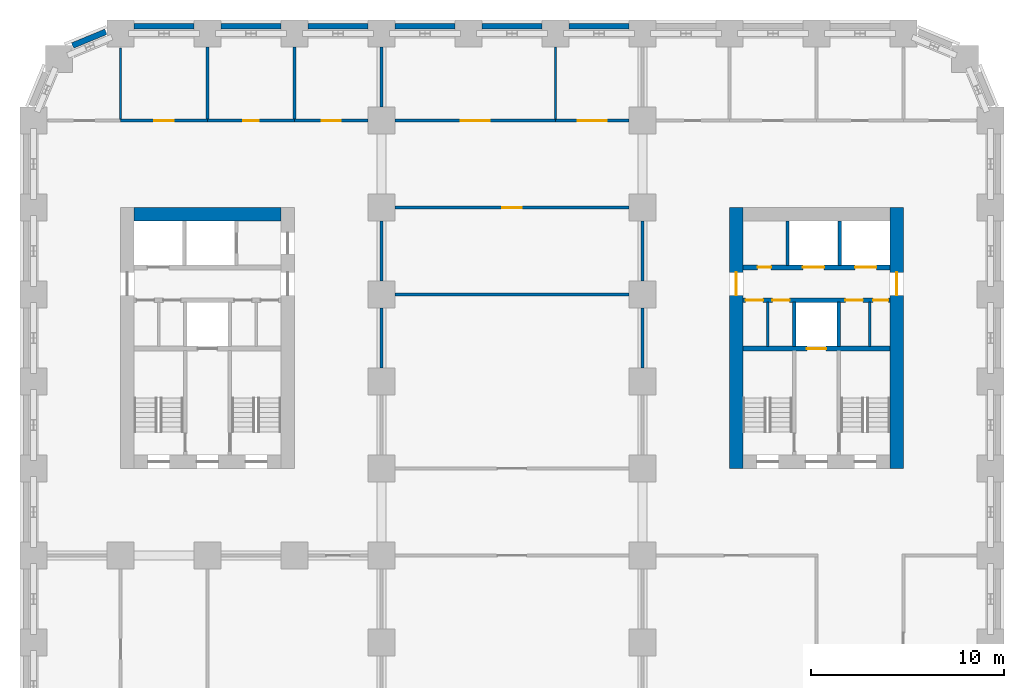
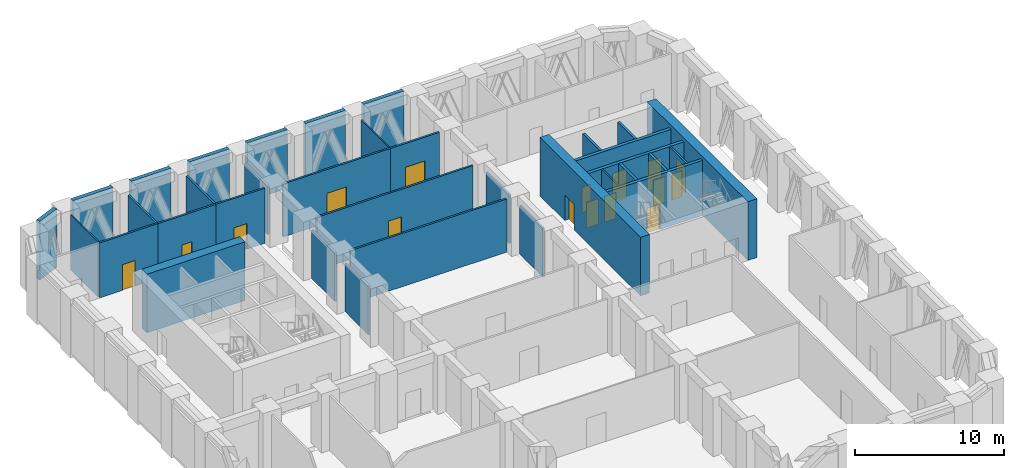
# One storey, part 5 of 9: 35 walls, 16 doors, 16 openings.
"""IFC4 building model written with IfcOpenShell, lengths in metres."""

from ifc_helpers import new_model, si_unit, direction, frame, frame_2d, origin, place, context, subcontext, project, spatial, rectangle, extrude, material, layer, layer_set, type_object, element, fill, save


model = new_model("IFC4")

# Units and contexts
model_context = context("Model", 3, precision=1e-05, world=origin(), true_north=direction((0.0, 1.0)))
body_context = subcontext(model_context, "Body", "Model", "MODEL_VIEW")
ifc_project = project(units=[si_unit("LENGTHUNIT", "METRE"), si_unit("AREAUNIT", "SQUARE_METRE"), si_unit("VOLUMEUNIT", "CUBIC_METRE"), si_unit("PLANEANGLEUNIT", "RADIAN"), si_unit("MASSUNIT", "GRAM", prefix="KILO")], contexts=[model_context])

# Site, building, storey
site_placement = place(None, origin())
site = spatial("IfcSite", under=ifc_project, at=site_placement, CompositionType="ELEMENT")
building_placement = place(site_placement, origin())
building = spatial("IfcBuilding", under=site, at=building_placement, Name="Girih Gate Residences", CompositionType="ELEMENT")
storey_placement = place(building_placement, frame((0.0, 0.0, 75.199951171875)))
storey = spatial("IfcBuildingStorey", under=building, at=storey_placement, Name="L20", CompositionType="ELEMENT", Elevation=75.199951171875)

# Walls
ifc_material_1 = material(Name="Gypsum board on steel studs", Category="steel")
ifc_layer_1 = layer(ifc_material_1, 0.14990234375)
ifc_layer_set_1 = layer_set([ifc_layer_1], Name="Compartment wall 150 mm")
wall_type_1 = type_object("IfcWallType", Name="Compartment wall 150 mm", PredefinedType="PARTITIONING", material=ifc_layer_set_1)
wall_1_placement = place(storey_placement, frame((18.699951171875, 36.0, 0.0), z_axis=(0.0, 0.0, 1.0), x_axis=(1.0, 0.0, 0.0)))
element("IfcWall", 1, at=wall_1_placement, inside=storey, type_object=wall_type_1, Name="L20 partition", PredefinedType="PARTITIONING", context=body_context, shape_type="SweptSolid", body=[
    extrude(rectangle(XDim=12.10009765625, YDim=0.14990234375, at=frame_2d((6.050048828125, 0.0))), origin(), (0.0, 0.0, 1.0), 4.35009765625),
])
for number, where, z_axis, x_axis, name in (
    (2, (31.5, 32.199951171875, 0.0), (0.0, 0.0, 1.0), (0.0, 1.0, 0.0), "L20 partition"),
    (3, (18.0, 32.199951171875, 0.0), (0.0, 0.0, 1.0), (0.0, 1.0, 0.0), "L20 partition"),
):
    element("IfcWall", number, at=place(storey_placement, frame(where, z_axis=z_axis, x_axis=x_axis)), inside=storey, type_object=wall_type_1, Name=name, PredefinedType="PARTITIONING", context=body_context, shape_type="SweptSolid", body=[
        extrude(rectangle(XDim=3.10009765625, YDim=0.14990234375, at=frame_2d((1.550048828125, 0.0))), origin(), (0.0, 0.0, 1.0), 3.97998046875),
    ])

# Wall, opening, door
wall_2_placement = place(storey_placement, frame((30.800048828125, 40.5, 0.0), z_axis=(0.0, 0.0, 1.0), x_axis=(-1.0, 0.0, 0.0)))
wall_2 = element("IfcWall", 4, at=wall_2_placement, inside=storey, type_object=wall_type_1, Name="L20 partition", PredefinedType="PARTITIONING", context=body_context, shape_type="SweptSolid", body=[
    extrude(rectangle(XDim=12.10009765625, YDim=0.14990234375, at=frame_2d((6.050048828125, 0.0))), origin(), (0.0, 0.0, 1.0), 4.35009765625),
])
opening_1_placement = place(wall_2_placement, frame((5.550048828125, 0.0, 0.0)))
opening_1 = element("IfcOpeningElement", 5, at=opening_1_placement, cuts=wall_2, Name="Opening D-L20-S-003", PredefinedType="OPENING", context=body_context, shape_type="SweptSolid", body=[
    extrude(rectangle(XDim=1.0, YDim=2.10009765625, at=frame_2d((0.5, 1.050048828125))), frame((0.0, 0.0849609375, 0.0), z_axis=(0.0, -1.0, 0.0), x_axis=(1.0, 0.0, 0.0)), (0.0, 0.0, 1.0), 0.169921875),
])
ifc_material_2 = material(Name="Timber, fire-rated core", Category="wood")
door_type_1 = type_object("IfcDoorType", Name="Amenity door 1000x2100 FD30S", OperationType="SINGLE_SWING_LEFT", PredefinedType="DOOR", material=ifc_material_2)
door_1_placement = place(opening_1_placement, origin())
door_1 = element("IfcDoor", 6, at=door_1_placement, inside=storey, type_object=door_type_1, Name="Door L20-003", OperationType="SINGLE_SWING_RIGHT", OverallHeight=2.10009765625, OverallWidth=1.0, PredefinedType="DOOR", context=body_context, shape_type="SweptSolid", body=[
    extrude(rectangle(XDim=1.0, YDim=2.10009765625, at=frame_2d((0.5, 1.050048828125))), frame((0.0, 0.02490234375, 0.0), z_axis=(0.0, -1.0, 0.0), x_axis=(1.0, 0.0, 0.0)), (0.0, 0.0, 1.0), 0.050048828125),
])
fill(opening_1, door_1)

# Walls
for number, where, z_axis, x_axis, name in (
    (7, (31.5, 36.699951171875, 0.0), (0.0, 0.0, 1.0), (0.0, 1.0, 0.0), "L20 partition"),
    (8, (18.0, 36.699951171875, 0.0), (0.0, 0.0, 1.0), (0.0, 1.0, 0.0), "L20 partition"),
):
    element("IfcWall", number, at=place(storey_placement, frame(where, z_axis=z_axis, x_axis=x_axis)), inside=storey, type_object=wall_type_1, Name=name, PredefinedType="PARTITIONING", context=body_context, shape_type="SweptSolid", body=[
        extrude(rectangle(XDim=3.10009765625, YDim=0.14990234375, at=frame_2d((1.550048828125, 0.0))), origin(), (0.0, 0.0, 1.0), 3.97998046875),
    ])

# Wall, opening, door
wall_3_placement = place(storey_placement, frame((18.699951171875, 45.0, 0.0), z_axis=(0.0, 0.0, 1.0), x_axis=(1.0, 0.0, 0.0)))
wall_3 = element("IfcWall", 9, at=wall_3_placement, inside=storey, type_object=wall_type_1, Name="L20 partition", PredefinedType="PARTITIONING", context=body_context, shape_type="SweptSolid", body=[
    extrude(rectangle(XDim=8.300048828125, YDim=0.14990234375, at=frame_2d((4.14990234375, 0.0))), origin(), (0.0, 0.0, 1.0), 4.35009765625),
])
opening_2_placement = place(wall_3_placement, frame((3.39990234375, 0.0, 0.0)))
opening_2 = element("IfcOpeningElement", 10, at=opening_2_placement, cuts=wall_3, Name="Opening D-L20-S-004", PredefinedType="OPENING", context=body_context, shape_type="SweptSolid", body=[
    extrude(rectangle(XDim=1.5, YDim=2.39990234375, at=frame_2d((0.75, 1.199951171875))), frame((0.0, 0.0849609375, 0.0), z_axis=(0.0, -1.0, 0.0), x_axis=(1.0, 0.0, 0.0)), (0.0, 0.0, 1.0), 0.169921875),
])
ifc_material_3 = material(Name="Painted steel, fire-resisting", Category="steel")
door_type_2 = type_object("IfcDoorType", Name="Plant room door pair 1500x2400 FD60", OperationType="DOUBLE_DOOR_SINGLE_SWING", PredefinedType="DOOR", material=ifc_material_3)
door_2_placement = place(opening_2_placement, origin())
door_2 = element("IfcDoor", 11, at=door_2_placement, inside=storey, type_object=door_type_2, Name="Door L20-004", OperationType="DOUBLE_DOOR_SINGLE_SWING", OverallHeight=2.39990234375, OverallWidth=1.5, PredefinedType="DOOR", context=body_context, shape_type="SweptSolid", body=[
    extrude(rectangle(XDim=1.5, YDim=2.39990234375, at=frame_2d((0.75, 1.199951171875))), frame((0.0, 0.02490234375, 0.0), z_axis=(0.0, -1.0, 0.0), x_axis=(1.0, 0.0, 0.0)), (0.0, 0.0, 1.0), 0.050048828125),
])
fill(opening_2, door_2)

# Wall
wall_4_placement = place(storey_placement, frame((18.0, 45.699951171875, 0.0), z_axis=(0.0, 0.0, 1.0), x_axis=(0.0, 1.0, 0.0)))
element("IfcWall", 12, at=wall_4_placement, inside=storey, type_object=wall_type_1, Name="L20 partition", PredefinedType="PARTITIONING", context=body_context, shape_type="SweptSolid", body=[
    extrude(rectangle(XDim=3.10009765625, YDim=0.14990234375, at=frame_2d((1.550048828125, 0.0))), origin(), (0.0, 0.0, 1.0), 3.97998046875),
])

# Wall, opening, door
wall_5_placement = place(storey_placement, frame((27.0, 45.0, 0.0), z_axis=(0.0, 0.0, 1.0), x_axis=(1.0, 0.0, 0.0)))
wall_5 = element("IfcWall", 13, at=wall_5_placement, inside=storey, type_object=wall_type_1, Name="L20 partition", PredefinedType="PARTITIONING", context=body_context, shape_type="SweptSolid", body=[
    extrude(rectangle(XDim=3.800048828125, YDim=0.14990234375, at=frame_2d((1.89990234375, 0.0))), origin(), (0.0, 0.0, 1.0), 4.35009765625),
])
opening_3_placement = place(wall_5_placement, frame((1.14990234375, 0.0, 0.0)))
opening_3 = element("IfcOpeningElement", 14, at=opening_3_placement, cuts=wall_5, Name="Opening D-L20-S-005", PredefinedType="OPENING", context=body_context, shape_type="SweptSolid", body=[
    extrude(rectangle(XDim=1.5, YDim=2.39990234375, at=frame_2d((0.75, 1.199951171875))), frame((0.0, 0.0849609375, 0.0), z_axis=(0.0, -1.0, 0.0), x_axis=(1.0, 0.0, 0.0)), (0.0, 0.0, 1.0), 0.169921875),
])
door_3_placement = place(opening_3_placement, origin())
door_3 = element("IfcDoor", 15, at=door_3_placement, inside=storey, type_object=door_type_2, Name="Door L20-005", OperationType="DOUBLE_DOOR_SINGLE_SWING", OverallHeight=2.39990234375, OverallWidth=1.5, PredefinedType="DOOR", context=body_context, shape_type="SweptSolid", body=[
    extrude(rectangle(XDim=1.5, YDim=2.39990234375, at=frame_2d((0.75, 1.199951171875))), frame((0.0, 0.02490234375, 0.0), z_axis=(0.0, -1.0, 0.0), x_axis=(1.0, 0.0, 0.0)), (0.0, 0.0, 1.0), 0.050048828125),
])
fill(opening_3, door_3)

# Wall
wall_6_placement = place(storey_placement, frame((9.0, 45.074951171875, 0.0), z_axis=(0.0, 0.0, 1.0), x_axis=(0.0, 1.0, 0.0)))
element("IfcWall", 16, at=wall_6_placement, inside=storey, type_object=wall_type_1, Name="L20 partition", PredefinedType="PARTITIONING", context=body_context, shape_type="SweptSolid", body=[
    extrude(rectangle(XDim=3.72509765625, YDim=0.14990234375, at=frame_2d((1.862548828125, 0.0))), origin(), (0.0, 0.0, 1.0), 4.5),
])

# Wall, opening, door
wall_7_placement = place(storey_placement, frame((4.5, 45.0, 0.0), z_axis=(0.0, 0.0, 1.0), x_axis=(1.0, 0.0, 0.0)))
wall_7 = element("IfcWall", 17, at=wall_7_placement, inside=storey, type_object=wall_type_1, Name="L20 partition", PredefinedType="PARTITIONING", context=body_context, shape_type="SweptSolid", body=[
    extrude(rectangle(XDim=4.5, YDim=0.14990234375, at=frame_2d((2.25, 0.0))), origin(), (0.0, 0.0, 1.0), 4.5),
])
opening_4_placement = place(wall_7_placement, frame((1.75, 0.0, 0.0)))
opening_4 = element("IfcOpeningElement", 18, at=opening_4_placement, cuts=wall_7, Name="Opening D-L20-S-018", PredefinedType="OPENING", context=body_context, shape_type="SweptSolid", body=[
    extrude(rectangle(XDim=1.0, YDim=2.10009765625, at=frame_2d((0.5, 1.050048828125))), frame((0.0, 0.0849609375, 0.0), z_axis=(0.0, -1.0, 0.0), x_axis=(1.0, 0.0, 0.0)), (0.0, 0.0, 1.0), 0.169921875),
])
door_type_3 = type_object("IfcDoorType", Name="Plant room door 1000x2100 FD60", OperationType="SINGLE_SWING_LEFT", PredefinedType="DOOR", material=ifc_material_3)
door_4_placement = place(opening_4_placement, origin())
door_4 = element("IfcDoor", 19, at=door_4_placement, inside=storey, type_object=door_type_3, Name="Door L20-018", OperationType="SINGLE_SWING_RIGHT", OverallHeight=2.10009765625, OverallWidth=1.0, PredefinedType="DOOR", context=body_context, shape_type="SweptSolid", body=[
    extrude(rectangle(XDim=1.0, YDim=2.10009765625, at=frame_2d((0.5, 1.050048828125))), frame((0.0, 0.02490234375, 0.0), z_axis=(0.0, -1.0, 0.0), x_axis=(1.0, 0.0, 0.0)), (0.0, 0.0, 1.0), 0.050048828125),
])
fill(opening_4, door_4)

# Wall
wall_8_placement = place(storey_placement, frame((13.5, 45.074951171875, 0.0), z_axis=(0.0, 0.0, 1.0), x_axis=(0.0, 1.0, 0.0)))
element("IfcWall", 20, at=wall_8_placement, inside=storey, type_object=wall_type_1, Name="L20 partition", PredefinedType="PARTITIONING", context=body_context, shape_type="SweptSolid", body=[
    extrude(rectangle(XDim=3.72509765625, YDim=0.14990234375, at=frame_2d((1.862548828125, 0.0))), origin(), (0.0, 0.0, 1.0), 4.5),
])

# Wall, opening, door
wall_9_placement = place(storey_placement, frame((9.0, 45.0, 0.0), z_axis=(0.0, 0.0, 1.0), x_axis=(1.0, 0.0, 0.0)))
wall_9 = element("IfcWall", 21, at=wall_9_placement, inside=storey, type_object=wall_type_1, Name="L20 partition", PredefinedType="PARTITIONING", context=body_context, shape_type="SweptSolid", body=[
    extrude(rectangle(XDim=4.5, YDim=0.14990234375, at=frame_2d((2.25, 0.0))), origin(), (0.0, 0.0, 1.0), 4.5),
])
opening_5_placement = place(wall_9_placement, frame((1.85009765625, 0.0, 0.0)))
opening_5 = element("IfcOpeningElement", 22, at=opening_5_placement, cuts=wall_9, Name="Opening D-L20-S-019", PredefinedType="OPENING", context=body_context, shape_type="SweptSolid", body=[
    extrude(rectangle(XDim=0.800048828125, YDim=2.10009765625, at=frame_2d((0.39990234375, 1.050048828125))), frame((0.0, 0.0849609375, 0.0), z_axis=(0.0, -1.0, 0.0), x_axis=(1.0, 0.0, 0.0)), (0.0, 0.0, 1.0), 0.169921875),
])
ifc_material_4 = material(Name="Timber", Category="wood")
door_type_4 = type_object("IfcDoorType", Name="WC and store door 800x2100", OperationType="SINGLE_SWING_LEFT", PredefinedType="DOOR", material=ifc_material_4)
door_5_placement = place(opening_5_placement, origin())
door_5 = element("IfcDoor", 23, at=door_5_placement, inside=storey, type_object=door_type_4, Name="Door L20-019", OperationType="SINGLE_SWING_RIGHT", OverallHeight=2.10009765625, OverallWidth=0.800048828125, PredefinedType="DOOR", context=body_context, shape_type="SweptSolid", body=[
    extrude(rectangle(XDim=0.800048828125, YDim=2.10009765625, at=frame_2d((0.39990234375, 1.050048828125))), frame((0.0, 0.02490234375, 0.0), z_axis=(0.0, -1.0, 0.0), x_axis=(1.0, 0.0, 0.0)), (0.0, 0.0, 1.0), 0.050048828125),
])
fill(opening_5, door_5)

wall_10_placement = place(storey_placement, frame((13.5, 45.0, 0.0), z_axis=(0.0, 0.0, 1.0), x_axis=(1.0, 0.0, 0.0)))
wall_10 = element("IfcWall", 24, at=wall_10_placement, inside=storey, type_object=wall_type_1, Name="L20 partition", PredefinedType="PARTITIONING", context=body_context, shape_type="SweptSolid", body=[
    extrude(rectangle(XDim=3.800048828125, YDim=0.14990234375, at=frame_2d((1.89990234375, 0.0))), origin(), (0.0, 0.0, 1.0), 4.5),
])
opening_6_placement = place(wall_10_placement, frame((1.39990234375, 0.0, 0.0)))
opening_6 = element("IfcOpeningElement", 25, at=opening_6_placement, cuts=wall_10, Name="Opening D-L20-S-020", PredefinedType="OPENING", context=body_context, shape_type="SweptSolid", body=[
    extrude(rectangle(XDim=1.0, YDim=2.10009765625, at=frame_2d((0.5, 1.050048828125))), frame((0.0, 0.0849609375, 0.0), z_axis=(0.0, -1.0, 0.0), x_axis=(1.0, 0.0, 0.0)), (0.0, 0.0, 1.0), 0.169921875),
])
door_6_placement = place(opening_6_placement, origin())
door_6 = element("IfcDoor", 26, at=door_6_placement, inside=storey, type_object=door_type_1, Name="Door L20-020", OperationType="SINGLE_SWING_RIGHT", OverallHeight=2.10009765625, OverallWidth=1.0, PredefinedType="DOOR", context=body_context, shape_type="SweptSolid", body=[
    extrude(rectangle(XDim=1.0, YDim=2.10009765625, at=frame_2d((0.5, 1.050048828125))), frame((0.0, 0.02490234375, 0.0), z_axis=(0.0, -1.0, 0.0), x_axis=(1.0, 0.0, 0.0)), (0.0, 0.0, 1.0), 0.050048828125),
])
fill(opening_6, door_6)

# Wall
ifc_material_5 = material(Name="Concrete C60/75", Category="concrete")
ifc_layer_2 = layer(ifc_material_5, 0.699951171875)
ifc_layer_set_2 = layer_set([ifc_layer_2], Name="Core wall RC 700 Concrete C60/75")
wall_type_2 = type_object("IfcWallType", Name="Core wall RC 700 Concrete C60/75", PredefinedType="SOLIDWALL", material=ifc_layer_set_2)
wall_11_placement = place(storey_placement, frame((5.199951171875, 40.14990234375, 0.0), z_axis=(0.0, 0.0, 1.0), x_axis=(1.0, 0.0, 0.0)))
element("IfcWall", 27, at=wall_11_placement, inside=storey, type_object=wall_type_2, Name="Core wall W-N L20", PredefinedType="SOLIDWALL", context=body_context, shape_type="SweptSolid", body=[
    extrude(rectangle(XDim=7.60009765625, YDim=0.699951171875, at=frame_2d((3.800048828125, 0.0))), origin(), (0.0, 0.0, 1.0), 4.800048828125),
])

# Wall, opening, door
wall_12_placement = place(storey_placement, frame((36.35009765625, 27.0, 0.0), z_axis=(0.0, 0.0, 1.0), x_axis=(0.0, 1.0, 0.0)))
wall_12 = element("IfcWall", 28, at=wall_12_placement, inside=storey, type_object=wall_type_2, Name="Core wall E-W L20", PredefinedType="SOLIDWALL", context=body_context, shape_type="SweptSolid", body=[
    extrude(rectangle(XDim=13.5, YDim=0.699951171875, at=frame_2d((6.75, 0.0))), origin(), (0.0, 0.0, 1.0), 4.800048828125),
])
opening_7_placement = place(wall_12_placement, frame((8.949951171875, 0.0, 0.0)))
opening_7 = element("IfcOpeningElement", 29, at=opening_7_placement, cuts=wall_12, Name="Opening D-L20-E-014", PredefinedType="OPENING", context=body_context, shape_type="SweptSolid", body=[
    extrude(rectangle(XDim=1.199951171875, YDim=2.10009765625, at=frame_2d((0.60009765625, 1.050048828125))), frame((0.0, 0.35986328125, 0.0), z_axis=(0.0, -1.0, 0.0), x_axis=(1.0, 0.0, 0.0)), (0.0, 0.0, 1.0), 0.719970703125),
])
door_type_5 = type_object("IfcDoorType", Name="Fire door 1200x2100", OperationType="SINGLE_SWING_LEFT", PredefinedType="DOOR", material=ifc_material_3)
door_7_placement = place(opening_7_placement, origin())
door_7 = element("IfcDoor", 30, at=door_7_placement, inside=storey, type_object=door_type_5, Name="L20 E core door ll-w", OperationType="SINGLE_SWING_LEFT", OverallHeight=2.10009765625, OverallWidth=1.199951171875, PredefinedType="DOOR", context=body_context, shape_type="SweptSolid", body=[
    extrude(rectangle(XDim=1.199951171875, YDim=2.10009765625, at=frame_2d((0.60009765625, 1.050048828125))), frame((0.0, 0.02490234375, 0.0), z_axis=(0.0, -1.0, 0.0), x_axis=(1.0, 0.0, 0.0)), (0.0, 0.0, 1.0), 0.050048828125),
])
fill(opening_7, door_7)

wall_13_placement = place(storey_placement, frame((44.64990234375, 27.0, 0.0), z_axis=(0.0, 0.0, 1.0), x_axis=(0.0, 1.0, 0.0)))
wall_13 = element("IfcWall", 31, at=wall_13_placement, inside=storey, type_object=wall_type_2, Name="Core wall E-E L20", PredefinedType="SOLIDWALL", context=body_context, shape_type="SweptSolid", body=[
    extrude(rectangle(XDim=13.5, YDim=0.699951171875, at=frame_2d((6.75, 0.0))), origin(), (0.0, 0.0, 1.0), 4.800048828125),
])
opening_8_placement = place(wall_13_placement, frame((8.949951171875, 0.0, 0.0)))
opening_8 = element("IfcOpeningElement", 32, at=opening_8_placement, cuts=wall_13, Name="Opening D-L20-E-015", PredefinedType="OPENING", context=body_context, shape_type="SweptSolid", body=[
    extrude(rectangle(XDim=1.199951171875, YDim=2.10009765625, at=frame_2d((0.60009765625, 1.050048828125))), frame((0.0, 0.35986328125, 0.0), z_axis=(0.0, -1.0, 0.0), x_axis=(1.0, 0.0, 0.0)), (0.0, 0.0, 1.0), 0.719970703125),
])
door_8_placement = place(opening_8_placement, origin())
door_8 = element("IfcDoor", 33, at=door_8_placement, inside=storey, type_object=door_type_5, Name="L20 E core door ll-e", OperationType="SINGLE_SWING_LEFT", OverallHeight=2.10009765625, OverallWidth=1.199951171875, PredefinedType="DOOR", context=body_context, shape_type="SweptSolid", body=[
    extrude(rectangle(XDim=1.199951171875, YDim=2.10009765625, at=frame_2d((0.60009765625, 1.050048828125))), frame((0.0, 0.02490234375, 0.0), z_axis=(0.0, -1.0, 0.0), x_axis=(1.0, 0.0, 0.0)), (0.0, 0.0, 1.0), 0.050048828125),
])
fill(opening_8, door_8)

ifc_material_6 = material(Name="Concrete C40/50", Category="concrete")
ifc_layer_3 = layer(ifc_material_6, 0.25)
ifc_layer_set_3 = layer_set([ifc_layer_3], Name="Lift shaft wall 250")
wall_type_3 = type_object("IfcWallType", Name="Lift shaft wall 250", PredefinedType="SOLIDWALL", material=ifc_layer_set_3)
wall_14_placement = place(storey_placement, frame((36.699951171875, 33.199951171875, 0.0), z_axis=(0.0, 0.0, 1.0), x_axis=(1.0, 0.0, 0.0)))
wall_14 = element("IfcWall", 34, at=wall_14_placement, inside=storey, type_object=wall_type_3, Name="L20 E core wall H1", PredefinedType="SOLIDWALL", context=body_context, shape_type="SweptSolid", body=[
    extrude(rectangle(XDim=7.60009765625, YDim=0.25, at=frame_2d((3.800048828125, 0.0))), origin(), (0.0, 0.0, 1.0), 4.5),
])
opening_9_placement = place(wall_14_placement, frame((3.300048828125, 0.0, 0.0)))
opening_9 = element("IfcOpeningElement", 35, at=opening_9_placement, cuts=wall_14, Name="Opening D-L20-E-005", PredefinedType="OPENING", context=body_context, shape_type="SweptSolid", body=[
    extrude(rectangle(XDim=1.0, YDim=2.10009765625, at=frame_2d((0.5, 1.050048828125))), frame((0.0, 0.135009765625, 0.0), z_axis=(0.0, -1.0, 0.0), x_axis=(1.0, 0.0, 0.0)), (0.0, 0.0, 1.0), 0.27001953125),
])
ifc_material_7 = material(Name="Stainless steel, fire-resisting", Category="steel")
door_type_6 = type_object("IfcDoorType", Name="Firefighting lift landing door 1000x2100", OperationType="SLIDING_TO_LEFT", PredefinedType="DOOR", material=ifc_material_7)
door_9_placement = place(opening_9_placement, origin())
door_9 = element("IfcDoor", 36, at=door_9_placement, inside=storey, type_object=door_type_6, Name="L20 lift FF-E landing door", OperationType="SLIDING_TO_LEFT", OverallHeight=2.10009765625, OverallWidth=1.0, PredefinedType="DOOR", context=body_context, shape_type="SweptSolid", body=[
    extrude(rectangle(XDim=1.0, YDim=2.10009765625, at=frame_2d((0.5, 1.050048828125))), frame((0.0, 0.02490234375, 0.0), z_axis=(0.0, -1.0, 0.0), x_axis=(1.0, 0.0, 0.0)), (0.0, 0.0, 1.0), 0.050048828125),
])
fill(opening_9, door_9)

# Wall, openings, doors
wall_15_placement = place(storey_placement, frame((36.699951171875, 35.699951171875, 0.0), z_axis=(0.0, 0.0, 1.0), x_axis=(1.0, 0.0, 0.0)))
wall_15 = element("IfcWall", 37, at=wall_15_placement, inside=storey, type_object=wall_type_3, Name="L20 E core wall H2", PredefinedType="SOLIDWALL", context=body_context, shape_type="SweptSolid", body=[
    extrude(rectangle(XDim=7.60009765625, YDim=0.25, at=frame_2d((3.800048828125, 0.0))), origin(), (0.0, 0.0, 1.0), 4.5),
])
opening_10_placement = place(wall_15_placement, frame((6.72509765625, 0.0, 0.0)))
opening_10 = element("IfcOpeningElement", 38, at=opening_10_placement, cuts=wall_15, Name="Opening D-L20-E-007", PredefinedType="OPENING", context=body_context, shape_type="SweptSolid", body=[
    extrude(rectangle(XDim=0.800048828125, YDim=2.10009765625, at=frame_2d((0.39990234375, 1.050048828125))), frame((0.0, 0.135009765625, 0.0), z_axis=(0.0, -1.0, 0.0), x_axis=(1.0, 0.0, 0.0)), (0.0, 0.0, 1.0), 0.27001953125),
])
opening_11_placement = place(wall_15_placement, frame((5.300048828125, 0.0, 0.0)))
opening_11 = element("IfcOpeningElement", 39, at=opening_11_placement, cuts=wall_15, Name="Opening D-L20-E-008", PredefinedType="OPENING", context=body_context, shape_type="SweptSolid", body=[
    extrude(rectangle(XDim=0.89990234375, YDim=2.10009765625, at=frame_2d((0.449951171875, 1.050048828125))), frame((0.0, 0.135009765625, 0.0), z_axis=(0.0, -1.0, 0.0), x_axis=(1.0, 0.0, 0.0)), (0.0, 0.0, 1.0), 0.27001953125),
])
opening_12_placement = place(wall_15_placement, frame((1.512451171875, 0.0, 0.0)))
opening_12 = element("IfcOpeningElement", 40, at=opening_12_placement, cuts=wall_15, Name="Opening D-L20-E-009", PredefinedType="OPENING", context=body_context, shape_type="SweptSolid", body=[
    extrude(rectangle(XDim=0.89990234375, YDim=2.10009765625, at=frame_2d((0.449951171875, 1.050048828125))), frame((0.0, 0.135009765625, 0.0), z_axis=(0.0, -1.0, 0.0), x_axis=(1.0, 0.0, 0.0)), (0.0, 0.0, 1.0), 0.27001953125),
])
opening_13_placement = place(wall_15_placement, frame((0.137451171875, 0.0, 0.0)))
opening_13 = element("IfcOpeningElement", 41, at=opening_13_placement, cuts=wall_15, Name="Opening D-L20-E-010", PredefinedType="OPENING", context=body_context, shape_type="SweptSolid", body=[
    extrude(rectangle(XDim=0.89990234375, YDim=2.10009765625, at=frame_2d((0.449951171875, 1.050048828125))), frame((0.0, 0.135009765625, 0.0), z_axis=(0.0, -1.0, 0.0), x_axis=(1.0, 0.0, 0.0)), (0.0, 0.0, 1.0), 0.27001953125),
])
door_type_7 = type_object("IfcDoorType", Name="Fire door 800x2100", OperationType="SINGLE_SWING_LEFT", PredefinedType="DOOR", material=ifc_material_3)
door_10_placement = place(opening_10_placement, origin())
door_10 = element("IfcDoor", 42, at=door_10_placement, inside=storey, type_object=door_type_7, Name="L20 E mechanical control room door", OperationType="SINGLE_SWING_LEFT", OverallHeight=2.10009765625, OverallWidth=0.800048828125, PredefinedType="DOOR", context=body_context, shape_type="SweptSolid", body=[
    extrude(rectangle(XDim=0.800048828125, YDim=2.10009765625, at=frame_2d((0.39990234375, 1.050048828125))), frame((0.0, 0.02490234375, 0.0), z_axis=(0.0, -1.0, 0.0), x_axis=(1.0, 0.0, 0.0)), (0.0, 0.0, 1.0), 0.050048828125),
])
fill(opening_10, door_10)
door_type_8 = type_object("IfcDoorType", Name="Fire door 900x2100", OperationType="SINGLE_SWING_LEFT", PredefinedType="DOOR", material=ifc_material_3)
door_11_placement = place(opening_11_placement, origin())
door_11 = element("IfcDoor", 43, at=door_11_placement, inside=storey, type_object=door_type_8, Name="L20 E mechanical control room door", OperationType="SINGLE_SWING_LEFT", OverallHeight=2.10009765625, OverallWidth=0.89990234375, PredefinedType="DOOR", context=body_context, shape_type="SweptSolid", body=[
    extrude(rectangle(XDim=0.89990234375, YDim=2.10009765625, at=frame_2d((0.449951171875, 1.050048828125))), frame((0.0, 0.02490234375, 0.0), z_axis=(0.0, -1.0, 0.0), x_axis=(1.0, 0.0, 0.0)), (0.0, 0.0, 1.0), 0.050048828125),
])
fill(opening_11, door_11)
door_12_placement = place(opening_12_placement, origin())
door_12 = element("IfcDoor", 44, at=door_12_placement, inside=storey, type_object=door_type_8, Name="L20 E mechanical store door", OperationType="SINGLE_SWING_LEFT", OverallHeight=2.10009765625, OverallWidth=0.89990234375, PredefinedType="DOOR", context=body_context, shape_type="SweptSolid", body=[
    extrude(rectangle(XDim=0.89990234375, YDim=2.10009765625, at=frame_2d((0.449951171875, 1.050048828125))), frame((0.0, 0.02490234375, 0.0), z_axis=(0.0, -1.0, 0.0), x_axis=(1.0, 0.0, 0.0)), (0.0, 0.0, 1.0), 0.050048828125),
])
fill(opening_12, door_12)
door_13_placement = place(opening_13_placement, origin())
door_13 = element("IfcDoor", 45, at=door_13_placement, inside=storey, type_object=door_type_8, Name="L20 E mechanical riser room door", OperationType="SINGLE_SWING_LEFT", OverallHeight=2.10009765625, OverallWidth=0.89990234375, PredefinedType="DOOR", context=body_context, shape_type="SweptSolid", body=[
    extrude(rectangle(XDim=0.89990234375, YDim=2.10009765625, at=frame_2d((0.449951171875, 1.050048828125))), frame((0.0, 0.02490234375, 0.0), z_axis=(0.0, -1.0, 0.0), x_axis=(1.0, 0.0, 0.0)), (0.0, 0.0, 1.0), 0.050048828125),
])
fill(opening_13, door_13)

wall_16_placement = place(storey_placement, frame((36.699951171875, 37.39990234375, 0.0), z_axis=(0.0, 0.0, 1.0), x_axis=(1.0, 0.0, 0.0)))
wall_16 = element("IfcWall", 46, at=wall_16_placement, inside=storey, type_object=wall_type_3, Name="L20 E core wall H3", PredefinedType="SOLIDWALL", context=body_context, shape_type="SweptSolid", body=[
    extrude(rectangle(XDim=7.60009765625, YDim=0.25, at=frame_2d((3.800048828125, 0.0))), origin(), (0.0, 0.0, 1.0), 4.5),
])
opening_14_placement = place(wall_16_placement, frame((5.800048828125, 0.0, 0.0)))
opening_14 = element("IfcOpeningElement", 47, at=opening_14_placement, cuts=wall_16, Name="Opening D-L20-E-003", PredefinedType="OPENING", context=body_context, shape_type="SweptSolid", body=[
    extrude(rectangle(XDim=1.10009765625, YDim=2.39990234375, at=frame_2d((0.550048828125, 1.199951171875))), frame((0.0, 0.135009765625, 0.0), z_axis=(0.0, -1.0, 0.0), x_axis=(1.0, 0.0, 0.0)), (0.0, 0.0, 1.0), 0.27001953125),
])
opening_15_placement = place(wall_16_placement, frame((3.10009765625, 0.0, 0.0)))
opening_15 = element("IfcOpeningElement", 48, at=opening_15_placement, cuts=wall_16, Name="Opening D-L20-E-004", PredefinedType="OPENING", context=body_context, shape_type="SweptSolid", body=[
    extrude(rectangle(XDim=1.10009765625, YDim=2.39990234375, at=frame_2d((0.550048828125, 1.199951171875))), frame((0.0, 0.135009765625, 0.0), z_axis=(0.0, -1.0, 0.0), x_axis=(1.0, 0.0, 0.0)), (0.0, 0.0, 1.0), 0.27001953125),
])
opening_16_placement = place(wall_16_placement, frame((0.75, 0.0, 0.0)))
opening_16 = element("IfcOpeningElement", 49, at=opening_16_placement, cuts=wall_16, Name="Opening D-L20-E-006", PredefinedType="OPENING", context=body_context, shape_type="SweptSolid", body=[
    extrude(rectangle(XDim=0.699951171875, YDim=2.10009765625, at=frame_2d((0.35009765625, 1.050048828125))), frame((0.0, 0.135009765625, 0.0), z_axis=(0.0, -1.0, 0.0), x_axis=(1.0, 0.0, 0.0)), (0.0, 0.0, 1.0), 0.27001953125),
])
ifc_material_8 = material(Name="Stainless steel", Category="steel")
door_type_9 = type_object("IfcDoorType", Name="Lift landing door 1100x2400", OperationType="SLIDING_TO_LEFT", PredefinedType="DOOR", material=ifc_material_8)
door_14_placement = place(opening_14_placement, origin())
door_14 = element("IfcDoor", 50, at=door_14_placement, inside=storey, type_object=door_type_9, Name="L20 lift LR-E1 landing door", OperationType="SLIDING_TO_LEFT", OverallHeight=2.39990234375, OverallWidth=1.10009765625, PredefinedType="DOOR", context=body_context, shape_type="SweptSolid", body=[
    extrude(rectangle(XDim=1.10009765625, YDim=2.39990234375, at=frame_2d((0.550048828125, 1.199951171875))), frame((0.0, 0.02490234375, 0.0), z_axis=(0.0, -1.0, 0.0), x_axis=(1.0, 0.0, 0.0)), (0.0, 0.0, 1.0), 0.050048828125),
])
fill(opening_14, door_14)
door_15_placement = place(opening_15_placement, origin())
door_15 = element("IfcDoor", 51, at=door_15_placement, inside=storey, type_object=door_type_9, Name="L20 lift LR-E2 landing door", OperationType="SLIDING_TO_LEFT", OverallHeight=2.39990234375, OverallWidth=1.10009765625, PredefinedType="DOOR", context=body_context, shape_type="SweptSolid", body=[
    extrude(rectangle(XDim=1.10009765625, YDim=2.39990234375, at=frame_2d((0.550048828125, 1.199951171875))), frame((0.0, 0.02490234375, 0.0), z_axis=(0.0, -1.0, 0.0), x_axis=(1.0, 0.0, 0.0)), (0.0, 0.0, 1.0), 0.050048828125),
])
fill(opening_15, door_15)
door_type_10 = type_object("IfcDoorType", Name="Riser access door 700x2100", OperationType="SINGLE_SWING_LEFT", PredefinedType="DOOR", material=ifc_material_3)
door_16_placement = place(opening_16_placement, origin())
door_16 = element("IfcDoor", 52, at=door_16_placement, inside=storey, type_object=door_type_10, Name="L20 E riser room door", OperationType="SINGLE_SWING_LEFT", OverallHeight=2.10009765625, OverallWidth=0.699951171875, PredefinedType="DOOR", context=body_context, shape_type="SweptSolid", body=[
    extrude(rectangle(XDim=0.699951171875, YDim=2.10009765625, at=frame_2d((0.35009765625, 1.050048828125))), frame((0.0, 0.02490234375, 0.0), z_axis=(0.0, -1.0, 0.0), x_axis=(1.0, 0.0, 0.0)), (0.0, 0.0, 1.0), 0.050048828125),
])
fill(opening_16, door_16)

# Walls
ifc_layer_4 = layer(ifc_material_1, 0.10009765625)
ifc_layer_set_4 = layer_set([ifc_layer_4], Name="Partition 100 mm")
wall_type_4 = type_object("IfcWallType", Name="Partition 100 mm", PredefinedType="PARTITIONING", material=ifc_layer_set_4)
wall_17_placement = place(storey_placement, frame((27.0, 45.074951171875, 0.0), z_axis=(0.0, 0.0, 1.0), x_axis=(0.0, 1.0, 0.0)))
element("IfcWall", 53, at=wall_17_placement, inside=storey, type_object=wall_type_4, Name="L20 partition", PredefinedType="PARTITIONING", context=body_context, shape_type="SweptSolid", body=[
    extrude(rectangle(XDim=3.72509765625, YDim=0.10009765625, at=frame_2d((1.862548828125, 0.0))), origin(), (0.0, 0.0, 1.0), 4.35009765625),
])
wall_18_placement = place(storey_placement, frame((4.5, 45.074951171875, 0.0), z_axis=(0.0, 0.0, 1.0), x_axis=(0.0, 1.0, 0.0)))
element("IfcWall", 54, at=wall_18_placement, inside=storey, type_object=wall_type_4, Name="L20 partition", PredefinedType="PARTITIONING", context=body_context, shape_type="SweptSolid", body=[
    extrude(rectangle(XDim=3.66748046875, YDim=0.10009765625, at=frame_2d((1.833740234375, 0.0))), origin(), (0.0, 0.0, 1.0), 4.5),
])
ifc_material_9 = material(Name="Precast concrete C50/60", Category="concrete")
ifc_layer_5 = layer(ifc_material_9, 0.080078125, Name="Outer leaf")
ifc_material_10 = material(Name="Rigid PIR insulation")
ifc_layer_6 = layer(ifc_material_10, 0.14990234375, Name="Insulation")
ifc_material_11 = material(Name="Precast concrete C40/50", Category="concrete")
ifc_layer_7 = layer(ifc_material_11, 0.070068359375, Name="Inner leaf")
ifc_layer_set_5 = layer_set([ifc_layer_5, ifc_layer_6, ifc_layer_7], Name="Precast concrete C50/60 external wall 300")
wall_type_5 = type_object("IfcWallType", Name="Precast concrete C50/60 external wall 300", PredefinedType="SOLIDWALL", material=ifc_layer_set_5)
for number, where, z_axis, x_axis, name in (
    (55, (27.699951171875, 49.875, 0.0), (0.0, 0.0, 1.0), (1.0, 0.0, 0.0), "External wall N0450_0495.3"),
    (56, (23.199951171875, 49.875, 0.0), (0.0, 0.0, 1.0), (1.0, 0.0, 0.0), "External wall N0450_0495.4"),
    (57, (18.699951171875, 49.875, 0.0), (0.0, 0.0, 1.0), (1.0, 0.0, 0.0), "External wall N0450_0495.5"),
    (58, (14.199951171875, 49.875, 0.0), (0.0, 0.0, 1.0), (1.0, 0.0, 0.0), "External wall N0450_0495.6"),
    (59, (9.699951171875, 49.875, 0.0), (0.0, 0.0, 1.0), (1.0, 0.0, 0.0), "External wall N0450_0495.7"),
    (60, (5.199951171875, 49.875, 0.0), (0.0, 0.0, 1.0), (1.0, 0.0, 0.0), "External wall N0450_0495.8"),
):
    element("IfcWall", number, at=place(storey_placement, frame(where, z_axis=z_axis, x_axis=x_axis)), inside=storey, type_object=wall_type_5, Name=name, PredefinedType="SOLIDWALL", context=body_context, shape_type="SweptSolid", body=[
        extrude(rectangle(XDim=3.10009765625, YDim=0.300048828125, at=frame_2d((1.550048828125, 0.0))), origin(), (0.0, 0.0, 1.0), 4.800048828125),
    ])
wall_19_placement = place(storey_placement, frame((2.01953125, 48.87841796875, 0.0), z_axis=(0.0, 0.0, 1.0), x_axis=(0.923903565336, 0.38262540684, 0.0)))
element("IfcWall", 61, at=wall_19_placement, inside=storey, type_object=wall_type_5, Name="External wall NW0045_0495.0", PredefinedType="SOLIDWALL", context=body_context, shape_type="SweptSolid", body=[
    extrude(rectangle(XDim=1.864990234375, YDim=0.300048828125, at=frame_2d((0.9326171875, 0.0))), origin(), (0.0, 0.0, 1.0), 4.800048828125),
])
ifc_layer_8 = layer(ifc_material_6, 0.175048828125)
ifc_layer_set_6 = layer_set([ifc_layer_8], Name="Riser shaft wall 175")
wall_type_6 = type_object("IfcWallType", Name="Riser shaft wall 175", PredefinedType="SOLIDWALL", material=ifc_layer_set_6)
for number, where, z_axis, x_axis, name in (
    (62, (41.699951171875, 37.5, 0.0), (0.0, 0.0, 1.0), (0.0, 1.0, 0.0), "L20 E core wall V1c"),
    (63, (39.0, 37.5, 0.0), (0.0, 0.0, 1.0), (0.0, 1.0, 0.0), "L20 E core wall V2c"),
):
    element("IfcWall", number, at=place(storey_placement, frame(where, z_axis=z_axis, x_axis=x_axis)), inside=storey, type_object=wall_type_6, Name=name, PredefinedType="SOLIDWALL", context=body_context, shape_type="SweptSolid", body=[
        extrude(rectangle(XDim=2.300048828125, YDim=0.175048828125, at=frame_2d((1.14990234375, 0.0))), origin(), (0.0, 0.0, 1.0), 4.5),
    ])
ifc_layer_9 = layer(ifc_material_6, 0.199951171875)
ifc_layer_set_7 = layer_set([ifc_layer_9], Name="Shaft wall 200")
wall_type_7 = type_object("IfcWallType", Name="Shaft wall 200", PredefinedType="SOLIDWALL", material=ifc_layer_set_7)
for number, where, z_axis, x_axis, name in (
    (64, (41.64990234375, 33.300048828125, 0.0), (0.0, 0.0, 1.0), (0.0, 1.0, 0.0), "L20 E core wall V1b"),
    (65, (39.35009765625, 33.300048828125, 0.0), (0.0, 0.0, 1.0), (0.0, 1.0, 0.0), "L20 E core wall V2b"),
):
    element("IfcWall", number, at=place(storey_placement, frame(where, z_axis=z_axis, x_axis=x_axis)), inside=storey, type_object=wall_type_7, Name=name, PredefinedType="SOLIDWALL", context=body_context, shape_type="SweptSolid", body=[
        extrude(rectangle(XDim=2.300048828125, YDim=0.199951171875, at=frame_2d((1.14990234375, 0.0))), origin(), (0.0, 0.0, 1.0), 4.5),
    ])
ifc_material_12 = material(Name="Calcium silicate blockwork", Category="masonry")
ifc_layer_10 = layer(ifc_material_12, 0.125)
ifc_layer_set_8 = layer_set([ifc_layer_10], Name="Store partition 125")
wall_type_8 = type_object("IfcWallType", Name="Store partition 125", PredefinedType="PARTITIONING", material=ifc_layer_set_8)
for number, where, z_axis, x_axis, name in (
    (66, (43.25, 33.300048828125, 0.0), (0.0, 0.0, 1.0), (0.0, 1.0, 0.0), "L20 E core wall SHR1"),
    (67, (37.97509765625, 33.300048828125, 0.0), (0.0, 0.0, 1.0), (0.0, 1.0, 0.0), "L20 E core wall SHR2"),
):
    element("IfcWall", number, at=place(storey_placement, frame(where, z_axis=z_axis, x_axis=x_axis)), inside=storey, type_object=wall_type_8, Name=name, PredefinedType="PARTITIONING", context=body_context, shape_type="SweptSolid", body=[
        extrude(rectangle(XDim=2.300048828125, YDim=0.125, at=frame_2d((1.14990234375, 0.0))), origin(), (0.0, 0.0, 1.0), 4.5),
    ])

save(model, "model.ifc")
